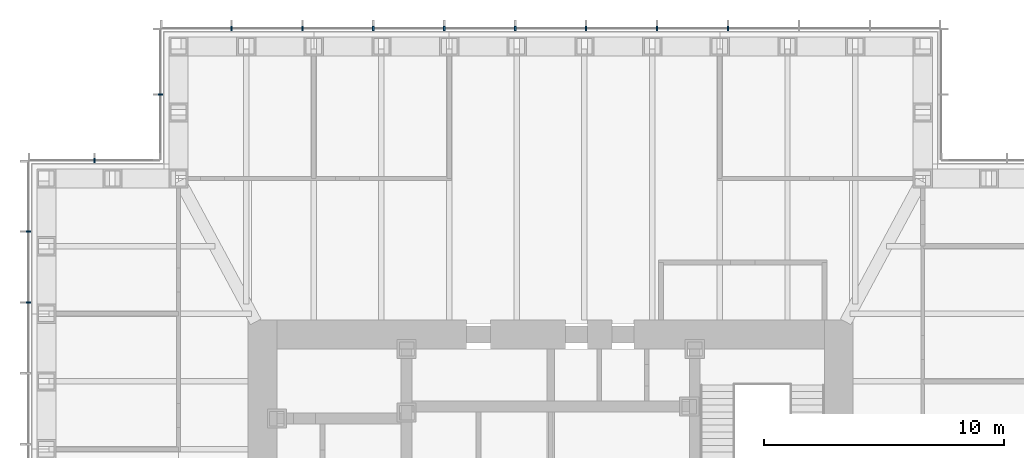
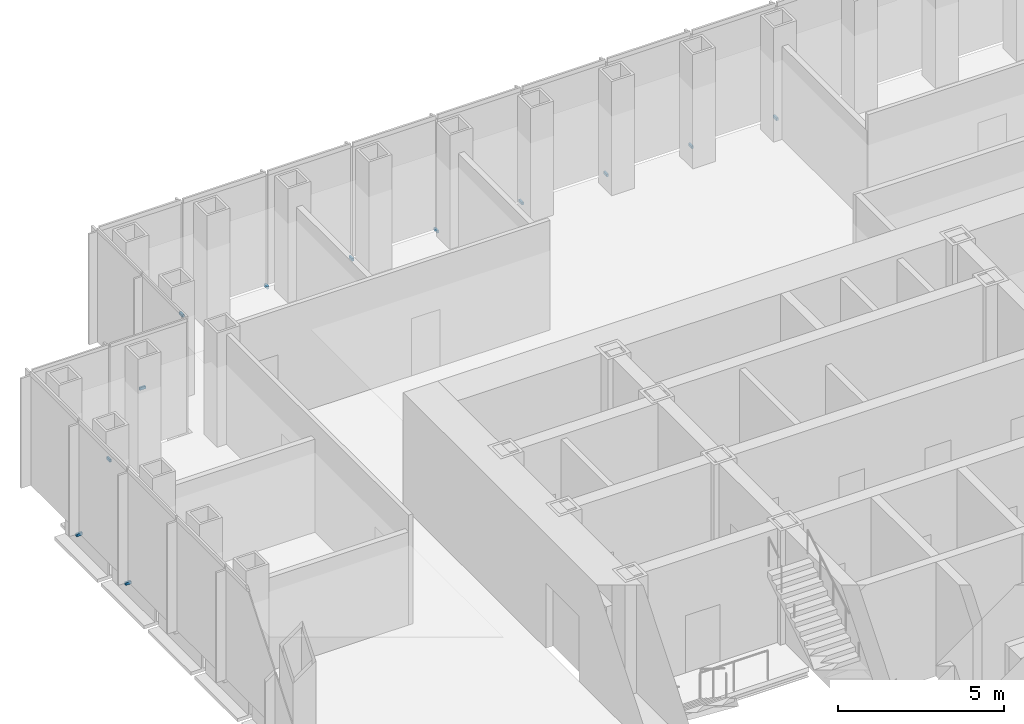
# One storey, part 14 of 16: 12 discrete accessories.
"""IFC4 building model written with IfcOpenShell, lengths in metres."""

from ifc_helpers import new_model, si_unit, direction, frame, origin, origin_2d, place, context, subcontext, project, spatial, rectangle, extrude, element, save


model = new_model("IFC4")

# Units and contexts
model_context = context("Model", 3, precision=1e-05, world=origin(), true_north=direction((0.0, 1.0)))
body_context = subcontext(model_context, "Body", "Model", "MODEL_VIEW")
ifc_project = project(units=[si_unit("LENGTHUNIT", "METRE"), si_unit("AREAUNIT", "SQUARE_METRE"), si_unit("VOLUMEUNIT", "CUBIC_METRE"), si_unit("PLANEANGLEUNIT", "RADIAN"), si_unit("MASSUNIT", "GRAM", prefix="KILO")], contexts=[model_context])

# Site, building, storey
site_placement = place(None, origin())
site = spatial("IfcSite", under=ifc_project, at=site_placement, CompositionType="ELEMENT")
building_placement = place(site_placement, origin())
building = spatial("IfcBuilding", under=site, at=building_placement, Name="Daluyong Arena Tower", CompositionType="ELEMENT")
storey_placement = place(building_placement, frame((0.0, 0.0, 214.89990234375)))
storey = spatial("IfcBuildingStorey", under=building, at=storey_placement, Name="L48", CompositionType="ELEMENT", Elevation=214.89990234375)

# Discrete accessories
for number, where, z_axis, x_axis, name in (
    (1, (63.386474609375, 101.75, -0.099853515625), (0.0, 0.0, 1.0), (-1.0, 0.0, 0.0), "curtain wall L48 N anchor bracket 4"),
    (2, (60.431884765625, 101.75, -0.099853515625), (0.0, 0.0, 1.0), (-1.0, 0.0, 0.0), "curtain wall L48 N anchor bracket 5"),
    (3, (57.477294921875, 101.75, -0.099853515625), (0.0, 0.0, 1.0), (-1.0, 0.0, 0.0), "curtain wall L48 N anchor bracket 6"),
    (4, (54.522705078125, 101.75, -0.099853515625), (0.0, 0.0, 1.0), (-1.0, 0.0, 0.0), "curtain wall L48 N anchor bracket 7"),
    (5, (51.568115234375, 101.75, -0.099853515625), (0.0, 0.0, 1.0), (-1.0, 0.0, 0.0), "curtain wall L48 N anchor bracket 8"),
    (6, (48.613525390625, 101.75, -0.099853515625), (0.0, 0.0, 1.0), (-1.0, 0.0, 0.0), "curtain wall L48 N anchor bracket 9"),
    (7, (45.6591796875, 101.75, -0.099853515625), (0.0, 0.0, 1.0), (-1.0, 0.0, 0.0), "curtain wall L48 N anchor bracket 10"),
    (8, (42.70458984375, 101.75, -0.099853515625), (0.0, 0.0, 1.0), (-1.0, 0.0, 0.0), "curtain wall L48 N anchor bracket 11"),
):
    element("IfcDiscreteAccessory", number, at=place(storey_placement, frame(where, z_axis=z_axis, x_axis=x_axis)), inside=storey, Name=name, PredefinedType="BRACKET", context=body_context, shape_type="SweptSolid", body=[
        extrude(rectangle(XDim=0.070068359375, YDim=0.199951171875, at=origin_2d()), origin(), (0.0, 0.0, 1.0), 0.10009765625),
    ])
for number, where, z_axis, x_axis, name in (
    (9, (39.75, 99.0, -0.099853515625), (0.0, 0.0, 1.0), (0.0, -1.0, 0.0), "curtain wall L48 NW-W anchor bracket 2"),
    (10, (37.0, 96.25, -0.099853515625), (0.0, 0.0, 1.0), (-1.0, 0.0, 0.0), "curtain wall L48 NW-N anchor bracket 2"),
):
    element("IfcDiscreteAccessory", number, at=place(storey_placement, frame(where, z_axis=z_axis, x_axis=x_axis)), inside=storey, Name=name, PredefinedType="BRACKET", context=body_context, shape_type="SweptSolid", body=[
        extrude(rectangle(XDim=0.06005859375, YDim=0.199951171875, at=origin_2d()), origin(), (0.0, 0.0, 1.0), 0.10009765625),
    ])
for number, where, z_axis, x_axis, name in (
    (11, (34.25, 93.29541015625, -0.099853515625), (0.0, 0.0, 1.0), (0.0, -1.0, 0.0), "curtain wall L48 W anchor bracket 2"),
    (12, (34.25, 90.3408203125, -0.099853515625), (0.0, 0.0, 1.0), (0.0, -1.0, 0.0), "curtain wall L48 W anchor bracket 3"),
):
    element("IfcDiscreteAccessory", number, at=place(storey_placement, frame(where, z_axis=z_axis, x_axis=x_axis)), inside=storey, Name=name, PredefinedType="BRACKET", context=body_context, shape_type="SweptSolid", body=[
        extrude(rectangle(XDim=0.070068359375, YDim=0.199951171875, at=origin_2d()), origin(), (0.0, 0.0, 1.0), 0.10009765625),
    ])

save(model, "model.ifc")
